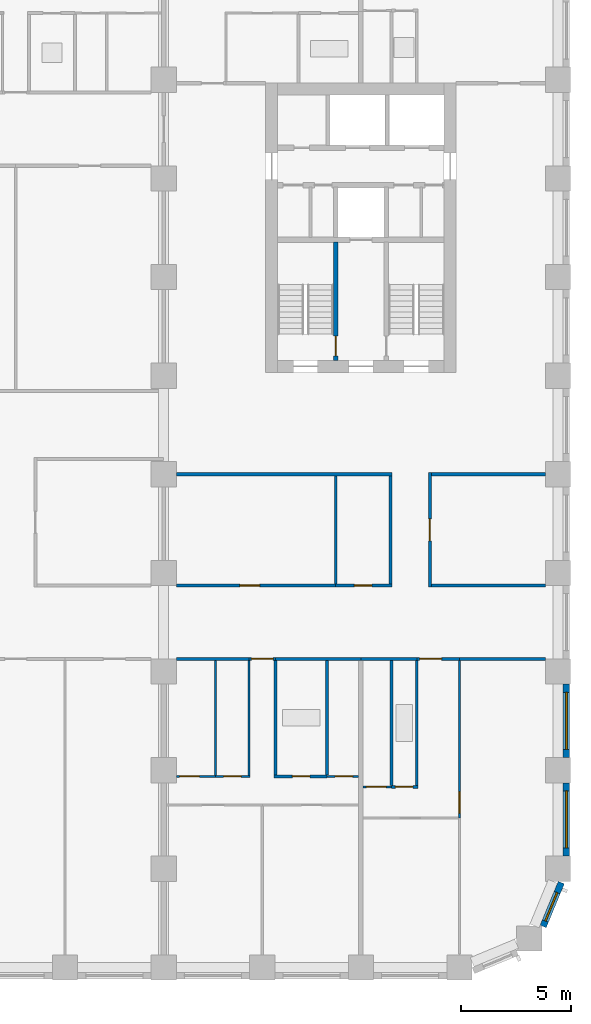
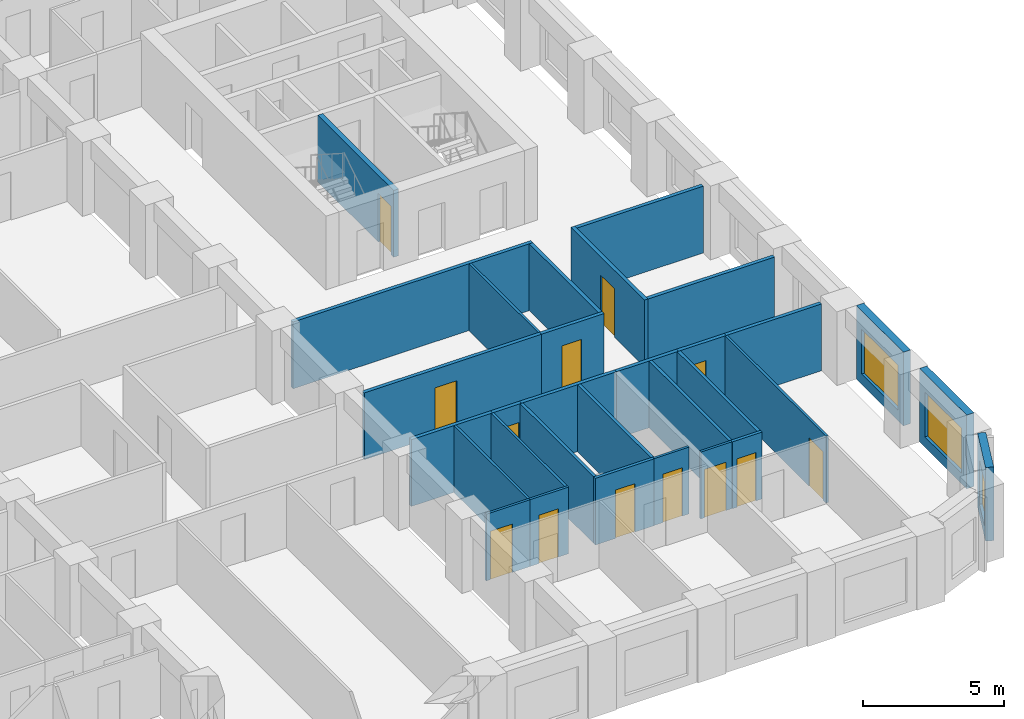
# One storey, part 5 of 13: 31 walls, 13 doors, 3 windows, 16 openings.
"""IFC4 building model written with IfcOpenShell, lengths in metres."""

from ifc_helpers import new_model, si_unit, direction, frame, frame_2d, origin, place, context, subcontext, project, spatial, rectangle, extrude, material, layer, layer_set, type_object, element, fill, save


model = new_model("IFC4")

# Units and contexts
model_context = context("Model", 3, precision=1e-05, world=origin(), true_north=direction((0.0, 1.0)))
body_context = subcontext(model_context, "Body", "Model", "MODEL_VIEW")
ifc_project = project(units=[si_unit("LENGTHUNIT", "METRE"), si_unit("AREAUNIT", "SQUARE_METRE"), si_unit("VOLUMEUNIT", "CUBIC_METRE"), si_unit("PLANEANGLEUNIT", "RADIAN"), si_unit("MASSUNIT", "GRAM", prefix="KILO")], contexts=[model_context])

# Site, building, storey
site_placement = place(None, origin())
site = spatial("IfcSite", under=ifc_project, at=site_placement, CompositionType="ELEMENT")
building_placement = place(site_placement, origin())
building = spatial("IfcBuilding", under=site, at=building_placement, Name="Girih Gate Residences", CompositionType="ELEMENT")
storey_placement = place(building_placement, frame((0.0, 0.0, 83.199951171875)))
storey = spatial("IfcBuildingStorey", under=building, at=storey_placement, Name="L22", CompositionType="ELEMENT", Elevation=83.199951171875)

# Wall, opening, door
ifc_material_1 = material(Name="Gypsum board on steel studs", Category="steel")
ifc_layer_1 = layer(ifc_material_1, 0.14990234375)
ifc_layer_set_1 = layer_set([ifc_layer_1], Name="Compartment wall 150 mm")
wall_type_1 = type_object("IfcWallType", Name="Compartment wall 150 mm", PredefinedType="PARTITIONING", material=ifc_layer_set_1)
wall_1_placement = place(storey_placement, frame((45.0, 14.074951171875, 0.0), z_axis=(0.0, 0.0, 1.0), x_axis=(-1.0, 0.0, 0.0)))
wall_1 = element("IfcWall", 1, at=wall_1_placement, inside=storey, type_object=wall_type_1, Name="L22 partition", PredefinedType="PARTITIONING", context=body_context, shape_type="SweptSolid", body=[
    extrude(rectangle(XDim=1.949951171875, YDim=0.14990234375, at=frame_2d((0.97509765625, 0.0))), origin(), (0.0, 0.0, 1.0), 2.900146484375),
])
opening_1_placement = place(wall_1_placement, frame((0.820068359375, 0.0, 0.0)))
opening_1 = element("IfcOpeningElement", 2, at=opening_1_placement, cuts=wall_1, Name="Opening A22-022", PredefinedType="OPENING", context=body_context, shape_type="SweptSolid", body=[
    extrude(rectangle(XDim=1.0, YDim=2.10009765625, at=frame_2d((0.5, 1.050048828125))), frame((0.0, 0.0849609375, 0.0), z_axis=(0.0, -1.0, 0.0), x_axis=(1.0, 0.0, 0.0)), (0.0, 0.0, 1.0), 0.169921875),
])
ifc_material_2 = material(Name="Timber, fire-rated core", Category="wood")
door_type_1 = type_object("IfcDoorType", Name="Flat entrance door 1000x2100 FD30S", OperationType="NOTDEFINED", PredefinedType="DOOR", material=ifc_material_2)
door_1_placement = place(opening_1_placement, origin())
door_1 = element("IfcDoor", 3, at=door_1_placement, inside=storey, type_object=door_type_1, Name="Door A22-022", OperationType="SINGLE_SWING_RIGHT", OverallHeight=2.10009765625, OverallWidth=1.0, PredefinedType="DOOR", context=body_context, shape_type="SweptSolid", body=[
    extrude(rectangle(XDim=1.0, YDim=2.10009765625, at=frame_2d((0.5, 1.050048828125))), frame((0.0, 0.02490234375, 0.0), z_axis=(0.0, -1.0, 0.0), x_axis=(1.0, 0.0, 0.0)), (0.0, 0.0, 1.0), 0.050048828125),
])
fill(opening_1, door_1)

# Walls
wall_2_placement = place(storey_placement, frame((40.5, 14.074951171875, 0.0), z_axis=(0.0, 0.0, 1.0), x_axis=(1.0, 0.0, 0.0)))
element("IfcWall", 4, at=wall_2_placement, inside=storey, type_object=wall_type_1, Name="L22 partition", PredefinedType="PARTITIONING", context=body_context, shape_type="SweptSolid", body=[
    extrude(rectangle(XDim=2.550048828125, YDim=0.14990234375, at=frame_2d((1.27490234375, 0.0))), origin(), (0.0, 0.0, 1.0), 2.900146484375),
])
wall_3_placement = place(storey_placement, frame((45.0, 14.074951171875, 0.0), z_axis=(0.0, 0.0, 1.0), x_axis=(1.0, 0.0, 0.0)))
element("IfcWall", 5, at=wall_3_placement, inside=storey, type_object=wall_type_1, Name="L22 partition", PredefinedType="PARTITIONING", context=body_context, shape_type="SweptSolid", body=[
    extrude(rectangle(XDim=3.925048828125, YDim=0.14990234375, at=frame_2d((1.96240234375, 0.0))), origin(), (0.0, 0.0, 1.0), 2.900146484375),
])
wall_4_placement = place(storey_placement, frame((36.60009765625, 14.074951171875, 0.0), z_axis=(0.0, 0.0, 1.0), x_axis=(1.0, 0.0, 0.0)))
element("IfcWall", 6, at=wall_4_placement, inside=storey, type_object=wall_type_1, Name="L22 partition", PredefinedType="PARTITIONING", context=body_context, shape_type="SweptSolid", body=[
    extrude(rectangle(XDim=3.89990234375, YDim=0.14990234375, at=frame_2d((1.949951171875, 0.0))), origin(), (0.0, 0.0, 1.0), 2.900146484375),
])

# Wall, opening, door
wall_5_placement = place(storey_placement, frame((36.60009765625, 14.074951171875, 0.0), z_axis=(0.0, 0.0, 1.0), x_axis=(-1.0, 0.0, 0.0)))
wall_5 = element("IfcWall", 7, at=wall_5_placement, inside=storey, type_object=wall_type_1, Name="L22 partition", PredefinedType="PARTITIONING", context=body_context, shape_type="SweptSolid", body=[
    extrude(rectangle(XDim=1.2001953125, YDim=0.14990234375, at=frame_2d((0.60009765625, 0.0))), origin(), (0.0, 0.0, 1.0), 2.900146484375),
])
opening_2_placement = place(wall_5_placement, frame((0.10009765625, 0.0, 0.0)))
opening_2 = element("IfcOpeningElement", 8, at=opening_2_placement, cuts=wall_5, Name="Opening A22-029", PredefinedType="OPENING", context=body_context, shape_type="SweptSolid", body=[
    extrude(rectangle(XDim=1.0, YDim=2.10009765625, at=frame_2d((0.5, 1.050048828125))), frame((0.0, 0.0849609375, 0.0), z_axis=(0.0, -1.0, 0.0), x_axis=(1.0, 0.0, 0.0)), (0.0, 0.0, 1.0), 0.169921875),
])
door_2_placement = place(opening_2_placement, origin())
door_2 = element("IfcDoor", 9, at=door_2_placement, inside=storey, type_object=door_type_1, Name="Door A22-029", OperationType="SINGLE_SWING_RIGHT", OverallHeight=2.10009765625, OverallWidth=1.0, PredefinedType="DOOR", context=body_context, shape_type="SweptSolid", body=[
    extrude(rectangle(XDim=1.0, YDim=2.10009765625, at=frame_2d((0.5, 1.050048828125))), frame((0.0, 0.02490234375, 0.0), z_axis=(0.0, -1.0, 0.0), x_axis=(1.0, 0.0, 0.0)), (0.0, 0.0, 1.0), 0.050048828125),
])
fill(opening_2, door_2)

# Wall
wall_6_placement = place(storey_placement, frame((32.074951171875, 14.074951171875, 0.0), z_axis=(0.0, 0.0, 1.0), x_axis=(1.0, 0.0, 0.0)))
element("IfcWall", 10, at=wall_6_placement, inside=storey, type_object=wall_type_1, Name="L22 partition", PredefinedType="PARTITIONING", context=body_context, shape_type="SweptSolid", body=[
    extrude(rectangle(XDim=3.324951171875, YDim=0.14990234375, at=frame_2d((1.66259765625, 0.0))), origin(), (0.0, 0.0, 1.0), 2.900146484375),
])

# Wall, opening, door
wall_7_placement = place(storey_placement, frame((32.074951171875, 17.425048828125, 0.0), z_axis=(0.0, 0.0, 1.0), x_axis=(1.0, 0.0, 0.0)))
wall_7 = element("IfcWall", 11, at=wall_7_placement, inside=storey, type_object=wall_type_1, Name="L22 partition", PredefinedType="PARTITIONING", context=body_context, shape_type="SweptSolid", body=[
    extrude(rectangle(XDim=7.275146484375, YDim=0.14990234375, at=frame_2d((3.6376953125, 0.0))), origin(), (0.0, 0.0, 1.0), 2.900146484375),
])
opening_3_placement = place(wall_7_placement, frame((2.89990234375, 0.0, 0.0)))
opening_3 = element("IfcOpeningElement", 12, at=opening_3_placement, cuts=wall_7, Name="Opening A22-058", PredefinedType="OPENING", context=body_context, shape_type="SweptSolid", body=[
    extrude(rectangle(XDim=0.89990234375, YDim=2.10009765625, at=frame_2d((0.449951171875, 1.050048828125))), frame((0.0, 0.0849609375, 0.0), z_axis=(0.0, -1.0, 0.0), x_axis=(1.0, 0.0, 0.0)), (0.0, 0.0, 1.0), 0.169921875),
])
ifc_material_3 = material(Name="Timber", Category="wood")
door_type_2 = type_object("IfcDoorType", Name="Service room door 900x2100", OperationType="NOTDEFINED", PredefinedType="DOOR", material=ifc_material_3)
door_3_placement = place(opening_3_placement, origin())
door_3 = element("IfcDoor", 13, at=door_3_placement, inside=storey, type_object=door_type_2, Name="Door A22-058", OperationType="SINGLE_SWING_LEFT", OverallHeight=2.10009765625, OverallWidth=0.89990234375, PredefinedType="DOOR", context=body_context, shape_type="SweptSolid", body=[
    extrude(rectangle(XDim=0.89990234375, YDim=2.10009765625, at=frame_2d((0.449951171875, 1.050048828125))), frame((0.0, 0.02490234375, 0.0), z_axis=(0.0, -1.0, 0.0), x_axis=(1.0, 0.0, 0.0)), (0.0, 0.0, 1.0), 0.050048828125),
])
fill(opening_3, door_3)

wall_8_placement = place(storey_placement, frame((39.35009765625, 17.425048828125, 0.0), z_axis=(0.0, 0.0, 1.0), x_axis=(1.0, 0.0, 0.0)))
wall_8 = element("IfcWall", 14, at=wall_8_placement, inside=storey, type_object=wall_type_1, Name="L22 partition", PredefinedType="PARTITIONING", context=body_context, shape_type="SweptSolid", body=[
    extrude(rectangle(XDim=2.574951171875, YDim=0.14990234375, at=frame_2d((1.28759765625, 0.0))), origin(), (0.0, 0.0, 1.0), 2.900146484375),
])
opening_4_placement = place(wall_8_placement, frame((0.85009765625, 0.0, 0.0)))
opening_4 = element("IfcOpeningElement", 15, at=opening_4_placement, cuts=wall_8, Name="Opening A22-060", PredefinedType="OPENING", context=body_context, shape_type="SweptSolid", body=[
    extrude(rectangle(XDim=0.800048828125, YDim=2.10009765625, at=frame_2d((0.39990234375, 1.050048828125))), frame((0.0, 0.0849609375, 0.0), z_axis=(0.0, -1.0, 0.0), x_axis=(1.0, 0.0, 0.0)), (0.0, 0.0, 1.0), 0.169921875),
])
door_type_3 = type_object("IfcDoorType", Name="Bathroom door 800x2100", OperationType="NOTDEFINED", PredefinedType="DOOR", material=ifc_material_3)
door_4_placement = place(opening_4_placement, origin())
door_4 = element("IfcDoor", 16, at=door_4_placement, inside=storey, type_object=door_type_3, Name="Door A22-060", OperationType="SINGLE_SWING_LEFT", OverallHeight=2.10009765625, OverallWidth=0.800048828125, PredefinedType="DOOR", context=body_context, shape_type="SweptSolid", body=[
    extrude(rectangle(XDim=0.800048828125, YDim=2.10009765625, at=frame_2d((0.39990234375, 1.050048828125))), frame((0.0, 0.02490234375, 0.0), z_axis=(0.0, -1.0, 0.0), x_axis=(1.0, 0.0, 0.0)), (0.0, 0.0, 1.0), 0.050048828125),
])
fill(opening_4, door_4)

# Walls
wall_9_placement = place(storey_placement, frame((43.72509765625, 17.425048828125, 0.0), z_axis=(0.0, 0.0, 1.0), x_axis=(1.0, 0.0, 0.0)))
element("IfcWall", 17, at=wall_9_placement, inside=storey, type_object=wall_type_1, Name="L22 partition", PredefinedType="PARTITIONING", context=body_context, shape_type="SweptSolid", body=[
    extrude(rectangle(XDim=5.199951171875, YDim=0.14990234375, at=frame_2d((2.60009765625, 0.0))), origin(), (0.0, 0.0, 1.0), 2.900146484375),
])
wall_10_placement = place(storey_placement, frame((32.074951171875, 22.5, 0.0), z_axis=(0.0, 0.0, 1.0), x_axis=(1.0, 0.0, 0.0)))
element("IfcWall", 18, at=wall_10_placement, inside=storey, type_object=wall_type_1, Name="L22 partition", PredefinedType="PARTITIONING", context=body_context, shape_type="SweptSolid", body=[
    extrude(rectangle(XDim=9.85009765625, YDim=0.14990234375, at=frame_2d((4.925048828125, 0.0))), origin(), (0.0, 0.0, 1.0), 2.900146484375),
])
wall_11_placement = place(storey_placement, frame((43.72509765625, 22.5, 0.0), z_axis=(0.0, 0.0, 1.0), x_axis=(1.0, 0.0, 0.0)))
element("IfcWall", 19, at=wall_11_placement, inside=storey, type_object=wall_type_1, Name="L22 partition", PredefinedType="PARTITIONING", context=body_context, shape_type="SweptSolid", body=[
    extrude(rectangle(XDim=5.199951171875, YDim=0.14990234375, at=frame_2d((2.60009765625, 0.0))), origin(), (0.0, 0.0, 1.0), 2.900146484375),
])
wall_12_placement = place(storey_placement, frame((41.85009765625, 17.5, 0.0), z_axis=(0.0, 0.0, 1.0), x_axis=(0.0, 1.0, 0.0)))
element("IfcWall", 20, at=wall_12_placement, inside=storey, type_object=wall_type_1, Name="L22 partition", PredefinedType="PARTITIONING", context=body_context, shape_type="SweptSolid", body=[
    extrude(rectangle(XDim=4.925048828125, YDim=0.14990234375, at=frame_2d((2.46240234375, 0.0))), origin(), (0.0, 0.0, 1.0), 2.900146484375),
])

# Wall, opening, door
wall_13_placement = place(storey_placement, frame((43.64990234375, 22.574951171875, 0.0), z_axis=(0.0, 0.0, 1.0), x_axis=(0.0, -1.0, 0.0)))
wall_13 = element("IfcWall", 21, at=wall_13_placement, inside=storey, type_object=wall_type_1, Name="L22 partition", PredefinedType="PARTITIONING", context=body_context, shape_type="SweptSolid", body=[
    extrude(rectangle(XDim=5.224853515625, YDim=0.14990234375, at=frame_2d((2.6123046875, 0.0))), origin(), (0.0, 0.0, 1.0), 2.900146484375),
])
opening_5_placement = place(wall_13_placement, frame((2.112548828125, 0.0, 0.0)))
opening_5 = element("IfcOpeningElement", 22, at=opening_5_placement, cuts=wall_13, Name="Opening A22-062", PredefinedType="OPENING", context=body_context, shape_type="SweptSolid", body=[
    extrude(rectangle(XDim=1.0, YDim=2.10009765625, at=frame_2d((0.5, 1.050048828125))), frame((0.0, 0.0849609375, 0.0), z_axis=(0.0, -1.0, 0.0), x_axis=(1.0, 0.0, 0.0)), (0.0, 0.0, 1.0), 0.169921875),
])
door_type_4 = type_object("IfcDoorType", Name="Amenity room door 1000x2100 FD30S", OperationType="NOTDEFINED", PredefinedType="DOOR", material=ifc_material_2)
door_5_placement = place(opening_5_placement, origin())
door_5 = element("IfcDoor", 23, at=door_5_placement, inside=storey, type_object=door_type_4, Name="Door A22-062", OperationType="SINGLE_SWING_RIGHT", OverallHeight=2.10009765625, OverallWidth=1.0, PredefinedType="DOOR", context=body_context, shape_type="SweptSolid", body=[
    extrude(rectangle(XDim=1.0, YDim=2.10009765625, at=frame_2d((0.5, 1.050048828125))), frame((0.0, 0.02490234375, 0.0), z_axis=(0.0, -1.0, 0.0), x_axis=(1.0, 0.0, 0.0)), (0.0, 0.0, 1.0), 0.050048828125),
])
fill(opening_5, door_5)

ifc_layer_2 = layer(ifc_material_1, 0.10009765625)
ifc_layer_set_2 = layer_set([ifc_layer_2], Name="Partition 100 mm")
wall_type_2 = type_object("IfcWallType", Name="Partition 100 mm", PredefinedType="PARTITIONING", material=ifc_layer_set_2)
wall_14_placement = place(storey_placement, frame((40.60009765625, 8.235107421875, 0.0), z_axis=(0.0, 0.0, 1.0), x_axis=(1.0, 0.0, 0.0)))
wall_14 = element("IfcWall", 24, at=wall_14_placement, inside=storey, type_object=wall_type_2, Name="L22 partition", PredefinedType="PARTITIONING", context=body_context, shape_type="SweptSolid", body=[
    extrude(rectangle(XDim=1.290771484375, YDim=0.10009765625, at=frame_2d((0.6455078125, 0.0))), origin(), (0.0, 0.0, 1.0), 2.900146484375),
])
opening_6_placement = place(wall_14_placement, frame((0.1455078125, 0.0, 0.0)))
opening_6 = element("IfcOpeningElement", 25, at=opening_6_placement, cuts=wall_14, Name="Opening A22-020", PredefinedType="OPENING", context=body_context, shape_type="SweptSolid", body=[
    extrude(rectangle(XDim=0.89990234375, YDim=2.10009765625, at=frame_2d((0.449951171875, 1.050048828125))), frame((0.0, 0.06005859375, 0.0), z_axis=(0.0, -1.0, 0.0), x_axis=(1.0, 0.0, 0.0)), (0.0, 0.0, 1.0), 0.1201171875),
])
door_type_5 = type_object("IfcDoorType", Name="Kitchen door 900x2100", OperationType="NOTDEFINED", PredefinedType="DOOR", material=ifc_material_3)
door_6_placement = place(opening_6_placement, origin())
door_6 = element("IfcDoor", 26, at=door_6_placement, inside=storey, type_object=door_type_5, Name="Door A22-020", OperationType="SINGLE_SWING_LEFT", OverallHeight=2.10009765625, OverallWidth=0.89990234375, PredefinedType="DOOR", context=body_context, shape_type="SweptSolid", body=[
    extrude(rectangle(XDim=0.89990234375, YDim=2.10009765625, at=frame_2d((0.449951171875, 1.050048828125))), frame((0.0, 0.02490234375, 0.0), z_axis=(0.0, -1.0, 0.0), x_axis=(1.0, 0.0, 0.0)), (0.0, 0.0, 1.0), 0.050048828125),
])
fill(opening_6, door_6)

wall_15_placement = place(storey_placement, frame((45.0, 14.0, 0.0), z_axis=(0.0, 0.0, 1.0), x_axis=(0.0, -1.0, 0.0)))
wall_15 = element("IfcWall", 27, at=wall_15_placement, inside=storey, type_object=wall_type_2, Name="L22 partition", PredefinedType="PARTITIONING", context=body_context, shape_type="SweptSolid", body=[
    extrude(rectangle(XDim=7.18505859375, YDim=0.10009765625, at=frame_2d((3.592529296875, 0.0))), origin(), (0.0, 0.0, 1.0), 2.900146484375),
])
opening_7_placement = place(wall_15_placement, frame((5.97509765625, 0.0, 0.0)))
opening_7 = element("IfcOpeningElement", 28, at=opening_7_placement, cuts=wall_15, Name="Opening A22-021", PredefinedType="OPENING", context=body_context, shape_type="SweptSolid", body=[
    extrude(rectangle(XDim=1.0, YDim=2.10009765625, at=frame_2d((0.5, 1.050048828125))), frame((0.0, 0.06005859375, 0.0), z_axis=(0.0, -1.0, 0.0), x_axis=(1.0, 0.0, 0.0)), (0.0, 0.0, 1.0), 0.1201171875),
])
door_type_6 = type_object("IfcDoorType", Name="Living room door 1000x2100", OperationType="NOTDEFINED", PredefinedType="DOOR", material=ifc_material_3)
door_7_placement = place(opening_7_placement, origin())
door_7 = element("IfcDoor", 29, at=door_7_placement, inside=storey, type_object=door_type_6, Name="Door A22-021", OperationType="SINGLE_SWING_RIGHT", OverallHeight=2.10009765625, OverallWidth=1.0, PredefinedType="DOOR", context=body_context, shape_type="SweptSolid", body=[
    extrude(rectangle(XDim=1.0, YDim=2.10009765625, at=frame_2d((0.5, 1.050048828125))), frame((0.0, 0.02490234375, 0.0), z_axis=(0.0, -1.0, 0.0), x_axis=(1.0, 0.0, 0.0)), (0.0, 0.0, 1.0), 0.050048828125),
])
fill(opening_7, door_7)

wall_16_placement = place(storey_placement, frame((32.074951171875, 8.715087890625, 0.0), z_axis=(0.0, 0.0, 1.0), x_axis=(1.0, 0.0, 0.0)))
wall_16 = element("IfcWall", 30, at=wall_16_placement, inside=storey, type_object=wall_type_2, Name="L22 partition", PredefinedType="PARTITIONING", context=body_context, shape_type="SweptSolid", body=[
    extrude(rectangle(XDim=1.79248046875, YDim=0.10009765625, at=frame_2d((0.896240234375, 0.0))), origin(), (0.0, 0.0, 1.0), 2.900146484375),
])
opening_8_placement = place(wall_16_placement, frame((0.15869140625, 0.0, 0.0)))
opening_8 = element("IfcOpeningElement", 31, at=opening_8_placement, cuts=wall_16, Name="Opening A22-025", PredefinedType="OPENING", context=body_context, shape_type="SweptSolid", body=[
    extrude(rectangle(XDim=0.89990234375, YDim=2.10009765625, at=frame_2d((0.449951171875, 1.050048828125))), frame((0.0, 0.06005859375, 0.0), z_axis=(0.0, -1.0, 0.0), x_axis=(1.0, 0.0, 0.0)), (0.0, 0.0, 1.0), 0.1201171875),
])
door_8_placement = place(opening_8_placement, origin())
door_8 = element("IfcDoor", 32, at=door_8_placement, inside=storey, type_object=door_type_5, Name="Door A22-025", OperationType="SINGLE_SWING_LEFT", OverallHeight=2.10009765625, OverallWidth=0.89990234375, PredefinedType="DOOR", context=body_context, shape_type="SweptSolid", body=[
    extrude(rectangle(XDim=0.89990234375, YDim=2.10009765625, at=frame_2d((0.449951171875, 1.050048828125))), frame((0.0, 0.02490234375, 0.0), z_axis=(0.0, -1.0, 0.0), x_axis=(1.0, 0.0, 0.0)), (0.0, 0.0, 1.0), 0.050048828125),
])
fill(opening_8, door_8)

wall_17_placement = place(storey_placement, frame((38.951171875, 8.715087890625, 0.0), z_axis=(0.0, 0.0, 1.0), x_axis=(1.0, 0.0, 0.0)))
wall_17 = element("IfcWall", 33, at=wall_17_placement, inside=storey, type_object=wall_type_2, Name="L22 partition", PredefinedType="PARTITIONING", context=body_context, shape_type="SweptSolid", body=[
    extrude(rectangle(XDim=1.44873046875, YDim=0.10009765625, at=frame_2d((0.724365234375, 0.0))), origin(), (0.0, 0.0, 1.0), 2.900146484375),
])
opening_9_placement = place(wall_17_placement, frame((0.37451171875, 0.0, 0.0)))
opening_9 = element("IfcOpeningElement", 34, at=opening_9_placement, cuts=wall_17, Name="Opening A22-027", PredefinedType="OPENING", context=body_context, shape_type="SweptSolid", body=[
    extrude(rectangle(XDim=0.800048828125, YDim=2.10009765625, at=frame_2d((0.39990234375, 1.050048828125))), frame((0.0, 0.06005859375, 0.0), z_axis=(0.0, -1.0, 0.0), x_axis=(1.0, 0.0, 0.0)), (0.0, 0.0, 1.0), 0.1201171875),
])
door_type_7 = type_object("IfcDoorType", Name="Store door 800x2100", OperationType="NOTDEFINED", PredefinedType="DOOR", material=ifc_material_3)
door_9_placement = place(opening_9_placement, origin())
door_9 = element("IfcDoor", 35, at=door_9_placement, inside=storey, type_object=door_type_7, Name="Door A22-027", OperationType="SINGLE_SWING_RIGHT", OverallHeight=2.10009765625, OverallWidth=0.800048828125, PredefinedType="DOOR", context=body_context, shape_type="SweptSolid", body=[
    extrude(rectangle(XDim=0.800048828125, YDim=2.10009765625, at=frame_2d((0.39990234375, 1.050048828125))), frame((0.0, 0.02490234375, 0.0), z_axis=(0.0, -1.0, 0.0), x_axis=(1.0, 0.0, 0.0)), (0.0, 0.0, 1.0), 0.050048828125),
])
fill(opening_9, door_9)

wall_18_placement = place(storey_placement, frame((33.867431640625, 8.715087890625, 0.0), z_axis=(0.0, 0.0, 1.0), x_axis=(1.0, 0.0, 0.0)))
wall_18 = element("IfcWall", 36, at=wall_18_placement, inside=storey, type_object=wall_type_2, Name="L22 partition", PredefinedType="PARTITIONING", context=body_context, shape_type="SweptSolid", body=[
    extrude(rectangle(XDim=1.58251953125, YDim=0.10009765625, at=frame_2d((0.791259765625, 0.0))), origin(), (0.0, 0.0, 1.0), 2.900146484375),
])
opening_10_placement = place(wall_18_placement, frame((0.3662109375, 0.0, 0.0)))
opening_10 = element("IfcOpeningElement", 37, at=opening_10_placement, cuts=wall_18, Name="Opening A22-028", PredefinedType="OPENING", context=body_context, shape_type="SweptSolid", body=[
    extrude(rectangle(XDim=0.800048828125, YDim=2.10009765625, at=frame_2d((0.39990234375, 1.050048828125))), frame((0.0, 0.06005859375, 0.0), z_axis=(0.0, -1.0, 0.0), x_axis=(1.0, 0.0, 0.0)), (0.0, 0.0, 1.0), 0.1201171875),
])
door_10_placement = place(opening_10_placement, origin())
door_10 = element("IfcDoor", 38, at=door_10_placement, inside=storey, type_object=door_type_7, Name="Door A22-028", OperationType="SINGLE_SWING_LEFT", OverallHeight=2.10009765625, OverallWidth=0.800048828125, PredefinedType="DOOR", context=body_context, shape_type="SweptSolid", body=[
    extrude(rectangle(XDim=0.800048828125, YDim=2.10009765625, at=frame_2d((0.39990234375, 1.050048828125))), frame((0.0, 0.02490234375, 0.0), z_axis=(0.0, -1.0, 0.0), x_axis=(1.0, 0.0, 0.0)), (0.0, 0.0, 1.0), 0.050048828125),
])
fill(opening_10, door_10)

# Walls
for number, where, z_axis, x_axis, name in (
    (39, (35.39990234375, 8.764892578125, 0.0), (0.0, 0.0, 1.0), (0.0, 1.0, 0.0), "L22 partition"),
    (40, (33.866943359375, 8.764892578125, 0.0), (0.0, 0.0, 1.0), (0.0, 1.0, 0.0), "L22 partition"),
):
    element("IfcWall", number, at=place(storey_placement, frame(where, z_axis=z_axis, x_axis=x_axis)), inside=storey, type_object=wall_type_2, Name=name, PredefinedType="PARTITIONING", context=body_context, shape_type="SweptSolid", body=[
        extrude(rectangle(XDim=5.235107421875, YDim=0.10009765625, at=frame_2d((2.61767578125, 0.0))), origin(), (0.0, 0.0, 1.0), 2.900146484375),
    ])
wall_19_placement = place(storey_placement, frame((39.35009765625, 17.5, 0.0), z_axis=(0.0, 0.0, 1.0), x_axis=(0.0, 1.0, 0.0)))
element("IfcWall", 41, at=wall_19_placement, inside=storey, type_object=wall_type_2, Name="L22 partition", PredefinedType="PARTITIONING", context=body_context, shape_type="SweptSolid", body=[
    extrude(rectangle(XDim=4.925048828125, YDim=0.10009765625, at=frame_2d((2.46240234375, 0.0))), origin(), (0.0, 0.0, 1.0), 2.900146484375),
])

# Wall, opening, window
ifc_material_4 = material(Name="Precast concrete C50/60", Category="concrete")
ifc_layer_3 = layer(ifc_material_4, 0.080078125, Name="Outer leaf")
ifc_material_5 = material(Name="Rigid PIR insulation")
ifc_layer_4 = layer(ifc_material_5, 0.14990234375, Name="Insulation")
ifc_material_6 = material(Name="Precast concrete C40/50", Category="concrete")
ifc_layer_5 = layer(ifc_material_6, 0.070068359375, Name="Inner leaf")
ifc_layer_set_3 = layer_set([ifc_layer_3, ifc_layer_4, ifc_layer_5], Name="Precast concrete C50/60 external wall 300")
wall_type_3 = type_object("IfcWallType", Name="Precast concrete C50/60 external wall 300", PredefinedType="SOLIDWALL", material=ifc_layer_set_3)
wall_20_placement = place(storey_placement, frame((49.64404296875, 3.86767578125, 0.0), z_axis=(0.0, 0.0, 1.0), x_axis=(-0.382723818695, -0.923862802911, 0.0)))
wall_20 = element("IfcWall", 42, at=wall_20_placement, inside=storey, type_object=wall_type_3, Name="External wall SE0482_0013.0", PredefinedType="SOLIDWALL", context=body_context, shape_type="SweptSolid", body=[
    extrude(rectangle(XDim=2.163818359375, YDim=0.300048828125, at=frame_2d((1.08203125, 0.0))), origin(), (0.0, 0.0, 1.0), 3.199951171875),
])
opening_11_placement = place(wall_20_placement, frame((0.492919921875, 0.0, 0.449951171875)))
opening_11 = element("IfcOpeningElement", 43, at=opening_11_placement, cuts=wall_20, Name="Opening W-2D", PredefinedType="OPENING", context=body_context, shape_type="SweptSolid", body=[
    extrude(rectangle(XDim=1.39990234375, YDim=1.949951171875, at=frame_2d((0.699951171875, 0.97509765625))), frame((0.0, 0.159912109375, 0.0), z_axis=(0.0, -1.0, 0.0), x_axis=(1.0, 0.0, 0.0)), (0.0, 0.0, 1.0), 0.320068359375),
])
ifc_material_7 = material(Name="Double glazing in aluminium frame", Category="aluminium")
window_type_1 = type_object("IfcWindowType", Name="Window W-2D 1400x1950", PartitioningType="SINGLE_PANEL", PredefinedType="WINDOW", material=ifc_material_7)
window_1_placement = place(opening_11_placement, origin())
window_1 = element("IfcWindow", 44, at=window_1_placement, inside=storey, type_object=window_type_1, Name="Window W-2D SE0482_0013.0", OverallHeight=1.949951171875, OverallWidth=1.39990234375, PartitioningType="SINGLE_PANEL", PredefinedType="WINDOW", context=body_context, shape_type="SweptSolid", body=[
    extrude(rectangle(XDim=1.39990234375, YDim=1.949951171875, at=frame_2d((0.699951171875, 0.97509765625))), frame((0.0, 0.030029296875, 0.0), z_axis=(0.0, -1.0, 0.0), x_axis=(1.0, 0.0, 0.0)), (0.0, 0.0, 1.0), 0.06005859375),
])
fill(opening_11, window_1)

wall_21_placement = place(storey_placement, frame((49.875, 8.425048828125, 0.0), z_axis=(0.0, 0.0, 1.0), x_axis=(0.0, -1.0, 0.0)))
wall_21 = element("IfcWall", 45, at=wall_21_placement, inside=storey, type_object=wall_type_3, Name="External wall E0495_0045.0", PredefinedType="SOLIDWALL", context=body_context, shape_type="SweptSolid", body=[
    extrude(rectangle(XDim=3.35009765625, YDim=0.300048828125, at=frame_2d((1.675048828125, 0.0))), origin(), (0.0, 0.0, 1.0), 3.199951171875),
])
opening_12_placement = place(wall_21_placement, frame((0.375, 0.0, 0.449951171875)))
opening_12 = element("IfcOpeningElement", 46, at=opening_12_placement, cuts=wall_21, Name="Opening W-1A", PredefinedType="OPENING", context=body_context, shape_type="SweptSolid", body=[
    extrude(rectangle(XDim=2.60009765625, YDim=1.949951171875, at=frame_2d((1.300048828125, 0.97509765625))), frame((0.0, 0.159912109375, 0.0), z_axis=(0.0, -1.0, 0.0), x_axis=(1.0, 0.0, 0.0)), (0.0, 0.0, 1.0), 0.320068359375),
])
window_type_2 = type_object("IfcWindowType", Name="Window W-1A 2600x1950", PartitioningType="SINGLE_PANEL", PredefinedType="WINDOW", material=ifc_material_7)
window_2_placement = place(opening_12_placement, origin())
window_2 = element("IfcWindow", 47, at=window_2_placement, inside=storey, type_object=window_type_2, Name="Window W-1A E0495_0045.0", OverallHeight=1.949951171875, OverallWidth=2.60009765625, PartitioningType="SINGLE_PANEL", PredefinedType="WINDOW", context=body_context, shape_type="SweptSolid", body=[
    extrude(rectangle(XDim=2.60009765625, YDim=1.949951171875, at=frame_2d((1.300048828125, 0.97509765625))), frame((0.0, 0.030029296875, 0.0), z_axis=(0.0, -1.0, 0.0), x_axis=(1.0, 0.0, 0.0)), (0.0, 0.0, 1.0), 0.06005859375),
])
fill(opening_12, window_2)

wall_22_placement = place(storey_placement, frame((49.875, 12.925048828125, 0.0), z_axis=(0.0, 0.0, 1.0), x_axis=(0.0, -1.0, 0.0)))
wall_22 = element("IfcWall", 48, at=wall_22_placement, inside=storey, type_object=wall_type_3, Name="External wall E0495_0045.1", PredefinedType="SOLIDWALL", context=body_context, shape_type="SweptSolid", body=[
    extrude(rectangle(XDim=3.35009765625, YDim=0.300048828125, at=frame_2d((1.675048828125, 0.0))), origin(), (0.0, 0.0, 1.0), 3.199951171875),
])
opening_13_placement = place(wall_22_placement, frame((0.375, 0.0, 0.449951171875)))
opening_13 = element("IfcOpeningElement", 49, at=opening_13_placement, cuts=wall_22, Name="Opening W-1A", PredefinedType="OPENING", context=body_context, shape_type="SweptSolid", body=[
    extrude(rectangle(XDim=2.60009765625, YDim=1.949951171875, at=frame_2d((1.300048828125, 0.97509765625))), frame((0.0, 0.159912109375, 0.0), z_axis=(0.0, -1.0, 0.0), x_axis=(1.0, 0.0, 0.0)), (0.0, 0.0, 1.0), 0.320068359375),
])
window_3_placement = place(opening_13_placement, origin())
window_3 = element("IfcWindow", 50, at=window_3_placement, inside=storey, type_object=window_type_2, Name="Window W-1A E0495_0045.1", OverallHeight=1.949951171875, OverallWidth=2.60009765625, PartitioningType="SINGLE_PANEL", PredefinedType="WINDOW", context=body_context, shape_type="SweptSolid", body=[
    extrude(rectangle(XDim=2.60009765625, YDim=1.949951171875, at=frame_2d((1.300048828125, 0.97509765625))), frame((0.0, 0.030029296875, 0.0), z_axis=(0.0, -1.0, 0.0), x_axis=(1.0, 0.0, 0.0)), (0.0, 0.0, 1.0), 0.06005859375),
])
fill(opening_13, window_3)

# Wall, opening, door
ifc_material_8 = material(Name="Concrete C40/50", Category="concrete")
ifc_layer_6 = layer(ifc_material_8, 0.199951171875)
ifc_layer_set_4 = layer_set([ifc_layer_6], Name="Shaft wall 200")
wall_type_4 = type_object("IfcWallType", Name="Shaft wall 200", PredefinedType="SOLIDWALL", material=ifc_layer_set_4)
wall_23_placement = place(storey_placement, frame((39.35009765625, 27.699951171875, 0.0), z_axis=(0.0, 0.0, 1.0), x_axis=(0.0, 1.0, 0.0)))
wall_23 = element("IfcWall", 51, at=wall_23_placement, inside=storey, type_object=wall_type_4, Name="L22 E core wall V2a", PredefinedType="SOLIDWALL", context=body_context, shape_type="SweptSolid", body=[
    extrude(rectangle(XDim=5.400146484375, YDim=0.199951171875, at=frame_2d((2.7001953125, 0.0))), origin(), (0.0, 0.0, 1.0), 2.900146484375),
])
opening_14_placement = place(wall_23_placement, frame((0.199951171875, 0.0, 0.0)))
opening_14 = element("IfcOpeningElement", 52, at=opening_14_placement, cuts=wall_23, Name="Opening D-L22-E-002", PredefinedType="OPENING", context=body_context, shape_type="SweptSolid", body=[
    extrude(rectangle(XDim=0.89990234375, YDim=2.10009765625, at=frame_2d((0.449951171875, 1.050048828125))), frame((0.0, 0.10986328125, 0.0), z_axis=(0.0, -1.0, 0.0), x_axis=(1.0, 0.0, 0.0)), (0.0, 0.0, 1.0), 0.219970703125),
])
ifc_material_9 = material(Name="Painted steel, fire-resisting", Category="steel")
door_type_8 = type_object("IfcDoorType", Name="Fire door 900x2100", OperationType="SINGLE_SWING_LEFT", PredefinedType="DOOR", material=ifc_material_9)
door_11_placement = place(opening_14_placement, origin())
door_11 = element("IfcDoor", 53, at=door_11_placement, inside=storey, type_object=door_type_8, Name="L22 E door stair 2 to firefighting lobby", OperationType="SINGLE_SWING_LEFT", OverallHeight=2.10009765625, OverallWidth=0.89990234375, PredefinedType="DOOR", context=body_context, shape_type="SweptSolid", body=[
    extrude(rectangle(XDim=0.89990234375, YDim=2.10009765625, at=frame_2d((0.449951171875, 1.050048828125))), frame((0.0, 0.02490234375, 0.0), z_axis=(0.0, -1.0, 0.0), x_axis=(1.0, 0.0, 0.0)), (0.0, 0.0, 1.0), 0.050048828125),
])
fill(opening_14, door_11)

# Wall
ifc_layer_7 = layer(ifc_material_1, 0.125)
ifc_layer_set_5 = layer_set([ifc_layer_7], Name="Wet room wall 125 mm")
wall_type_5 = type_object("IfcWallType", Name="Wet room wall 125 mm", PredefinedType="PARTITIONING", material=ifc_layer_set_5)
wall_24_placement = place(storey_placement, frame((43.050048828125, 8.297607421875, 0.0), z_axis=(0.0, 0.0, 1.0), x_axis=(0.0, 1.0, 0.0)))
element("IfcWall", 54, at=wall_24_placement, inside=storey, type_object=wall_type_5, Name="L22 partition", PredefinedType="PARTITIONING", context=body_context, shape_type="SweptSolid", body=[
    extrude(rectangle(XDim=5.702392578125, YDim=0.125, at=frame_2d((2.85107421875, 0.0))), origin(), (0.0, 0.0, 1.0), 2.900146484375),
])

# Wall, opening, door
wall_25_placement = place(storey_placement, frame((41.890869140625, 8.235107421875, 0.0), z_axis=(0.0, 0.0, 1.0), x_axis=(1.0, 0.0, 0.0)))
wall_25 = element("IfcWall", 55, at=wall_25_placement, inside=storey, type_object=wall_type_5, Name="L22 partition", PredefinedType="PARTITIONING", context=body_context, shape_type="SweptSolid", body=[
    extrude(rectangle(XDim=1.2216796875, YDim=0.125, at=frame_2d((0.61083984375, 0.0))), origin(), (0.0, 0.0, 1.0), 2.900146484375),
])
opening_15_placement = place(wall_25_placement, frame((0.179443359375, 0.0, 0.0)))
opening_15 = element("IfcOpeningElement", 56, at=opening_15_placement, cuts=wall_25, Name="Opening A22-018", PredefinedType="OPENING", context=body_context, shape_type="SweptSolid", body=[
    extrude(rectangle(XDim=0.800048828125, YDim=2.10009765625, at=frame_2d((0.39990234375, 1.050048828125))), frame((0.0, 0.072509765625, 0.0), z_axis=(0.0, -1.0, 0.0), x_axis=(1.0, 0.0, 0.0)), (0.0, 0.0, 1.0), 0.14501953125),
])
door_12_placement = place(opening_15_placement, origin())
door_12 = element("IfcDoor", 57, at=door_12_placement, inside=storey, type_object=door_type_3, Name="Door A22-018", OperationType="SINGLE_SWING_LEFT", OverallHeight=2.10009765625, OverallWidth=0.800048828125, PredefinedType="DOOR", context=body_context, shape_type="SweptSolid", body=[
    extrude(rectangle(XDim=0.800048828125, YDim=2.10009765625, at=frame_2d((0.39990234375, 1.050048828125))), frame((0.0, 0.02490234375, 0.0), z_axis=(0.0, -1.0, 0.0), x_axis=(1.0, 0.0, 0.0)), (0.0, 0.0, 1.0), 0.050048828125),
])
fill(opening_15, door_12)

# Wall
wall_26_placement = place(storey_placement, frame((41.89111328125, 8.297607421875, 0.0), z_axis=(0.0, 0.0, 1.0), x_axis=(0.0, 1.0, 0.0)))
element("IfcWall", 58, at=wall_26_placement, inside=storey, type_object=wall_type_5, Name="L22 partition", PredefinedType="PARTITIONING", context=body_context, shape_type="SweptSolid", body=[
    extrude(rectangle(XDim=5.702392578125, YDim=0.125, at=frame_2d((2.85107421875, 0.0))), origin(), (0.0, 0.0, 1.0), 2.900146484375),
])

# Wall, opening, door
wall_27_placement = place(storey_placement, frame((36.53759765625, 8.715087890625, 0.0), z_axis=(0.0, 0.0, 1.0), x_axis=(1.0, 0.0, 0.0)))
wall_27 = element("IfcWall", 59, at=wall_27_placement, inside=storey, type_object=wall_type_5, Name="L22 partition", PredefinedType="PARTITIONING", context=body_context, shape_type="SweptSolid", body=[
    extrude(rectangle(XDim=2.41357421875, YDim=0.125, at=frame_2d((1.206787109375, 0.0))), origin(), (0.0, 0.0, 1.0), 2.900146484375),
])
opening_16_placement = place(wall_27_placement, frame((0.837890625, 0.0, 0.0)))
opening_16 = element("IfcOpeningElement", 60, at=opening_16_placement, cuts=wall_27, Name="Opening A22-023", PredefinedType="OPENING", context=body_context, shape_type="SweptSolid", body=[
    extrude(rectangle(XDim=0.800048828125, YDim=2.10009765625, at=frame_2d((0.39990234375, 1.050048828125))), frame((0.0, 0.072509765625, 0.0), z_axis=(0.0, -1.0, 0.0), x_axis=(1.0, 0.0, 0.0)), (0.0, 0.0, 1.0), 0.14501953125),
])
door_13_placement = place(opening_16_placement, origin())
door_13 = element("IfcDoor", 61, at=door_13_placement, inside=storey, type_object=door_type_3, Name="Door A22-023", OperationType="SINGLE_SWING_RIGHT", OverallHeight=2.10009765625, OverallWidth=0.800048828125, PredefinedType="DOOR", context=body_context, shape_type="SweptSolid", body=[
    extrude(rectangle(XDim=0.800048828125, YDim=2.10009765625, at=frame_2d((0.39990234375, 1.050048828125))), frame((0.0, 0.02490234375, 0.0), z_axis=(0.0, -1.0, 0.0), x_axis=(1.0, 0.0, 0.0)), (0.0, 0.0, 1.0), 0.050048828125),
])
fill(opening_16, door_13)

# Walls
for number, where, z_axis, x_axis, name in (
    (62, (36.60009765625, 8.777587890625, 0.0), (0.0, 0.0, 1.0), (0.0, 1.0, 0.0), "L22 partition"),
    (63, (38.950927734375, 8.777587890625, 0.0), (0.0, 0.0, 1.0), (0.0, 1.0, 0.0), "L22 partition"),
):
    element("IfcWall", number, at=place(storey_placement, frame(where, z_axis=z_axis, x_axis=x_axis)), inside=storey, type_object=wall_type_5, Name=name, PredefinedType="PARTITIONING", context=body_context, shape_type="SweptSolid", body=[
        extrude(rectangle(XDim=5.222412109375, YDim=0.125, at=frame_2d((2.611328125, 0.0))), origin(), (0.0, 0.0, 1.0), 2.900146484375),
    ])

save(model, "model.ifc")
